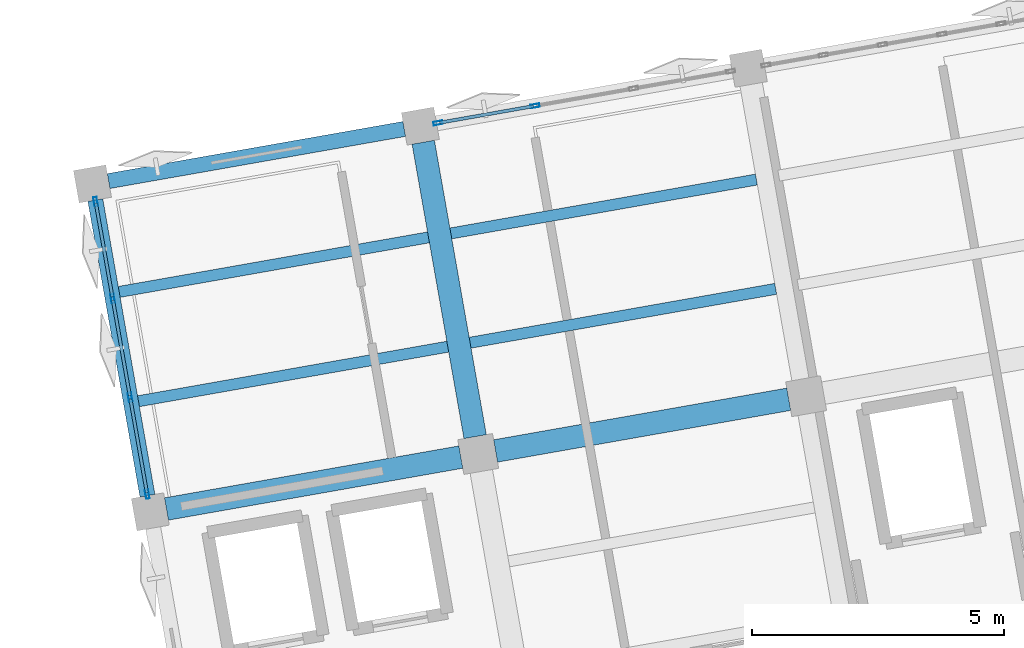
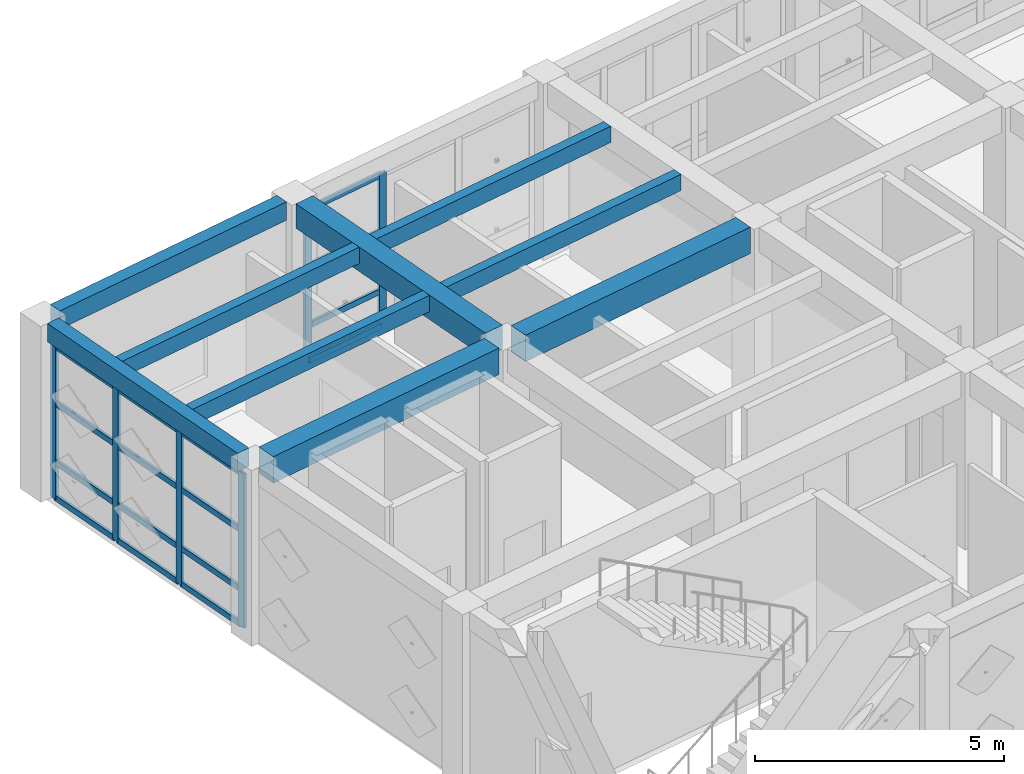
# One storey, part 7 of 39: 22 members, 9 beams, 2 elements without a shape of their own.
"""IFC4 building model written with IfcOpenShell, lengths in metres."""

from ifc_helpers import new_model, si_unit, direction, frame, origin, origin_2d, place, context, subcontext, project, spatial, rectangle, hollow_rectangle, extrude, material, layer, layer_set, material_profile, profile_set, type_object, element, aggregate, save


model = new_model("IFC4")

# Units and contexts
model_context = context("Model", 3, precision=1e-05, world=origin(), true_north=direction((0.0, 1.0)))
body_context = subcontext(model_context, "Body", "Model", "MODEL_VIEW")
ifc_project = project(units=[si_unit("LENGTHUNIT", "METRE"), si_unit("AREAUNIT", "SQUARE_METRE"), si_unit("VOLUMEUNIT", "CUBIC_METRE"), si_unit("PLANEANGLEUNIT", "RADIAN"), si_unit("MASSUNIT", "GRAM", prefix="KILO")], contexts=[model_context])

# Site, building, storey
site_placement = place(None, origin())
site = spatial("IfcSite", under=ifc_project, at=site_placement, CompositionType="ELEMENT")
building_placement = place(site_placement, origin())
building = spatial("IfcBuilding", under=site, at=building_placement, Name="Kharisveld Research Institute", CompositionType="ELEMENT")
storey_placement = place(building_placement, frame((0.0, 0.0, 18.60009765625)))
storey = spatial("IfcBuildingStorey", under=building, at=storey_placement, Name="L04", CompositionType="ELEMENT", Elevation=18.60009765625)

# Beams
ifc_material_1 = material(Name="Concrete C40/50", Category="concrete")
ifc_material_profile_1 = material_profile(ifc_material_1, rectangle(XDim=0.449951171875, YDim=0.60009765625, at=origin_2d()))
ifc_profile_set_1 = profile_set([ifc_material_profile_1], Name="Concrete C40/50")
beam_type_1 = type_object("IfcBeamType", Name="BM_RC_450x600", PredefinedType="BEAM", material=ifc_profile_set_1)
beam_1_placement = place(storey_placement, frame((9.3466796875, 49.500244140625, 4.02001953125), z_axis=(-0.173639592071, 0.984809266846, 0.0), x_axis=(-0.984809266846, -0.173639592071, 0.0)))
element("IfcBeam", 1, at=beam_1_placement, inside=storey, type_object=beam_type_1, Name="BM:V1:L04:V1_2", PredefinedType="BEAM", context=body_context, shape_type="SweptSolid", body=[
    extrude(rectangle(XDim=0.449951171875, YDim=0.60009765625, at=origin_2d()), origin(), (0.0, 0.0, 1.0), 5.925048828125),
])
ifc_material_2 = material(Name="Concrete C40/50", Category="concrete")
ifc_material_profile_2 = material_profile(ifc_material_2, rectangle(XDim=0.449951171875, YDim=0.64990234375, at=origin_2d()))
ifc_profile_set_2 = profile_set([ifc_material_profile_2], Name="Concrete C40/50")
beam_type_2 = type_object("IfcBeamType", Name="BM_RC_450x650", PredefinedType="BEAM", material=ifc_profile_set_2)
beam_2_placement = place(storey_placement, frame((3.22802734375, 48.06591796875, 3.994873046875), z_axis=(0.984809266846, 0.173639592071, 0.0), x_axis=(-0.173639592071, 0.984809266846, 0.0)))
element("IfcBeam", 2, at=beam_2_placement, inside=storey, type_object=beam_type_2, Name="BM:V1:L04:U0_2", PredefinedType="BEAM", context=body_context, shape_type="SweptSolid", body=[
    extrude(rectangle(XDim=0.449951171875, YDim=0.64990234375, at=origin_2d()), origin(), (0.0, 0.0, 1.0), 5.925048828125),
])
beam_3_placement = place(storey_placement, frame((9.752197265625, 49.21630859375, 3.994873046875), z_axis=(0.98481187206, 0.173624815763, 0.0), x_axis=(-0.173624815763, 0.98481187206, 0.0)))
element("IfcBeam", 3, at=beam_3_placement, inside=storey, type_object=beam_type_2, Name="BM:V1:L04:U1_2", PredefinedType="BEAM", context=body_context, shape_type="SweptSolid", body=[
    extrude(rectangle(XDim=0.449951171875, YDim=0.64990234375, at=origin_2d()), origin(), (0.0, 0.0, 1.0), 5.900146484375),
])

# Curtain wall, members
ifc_material_3 = material(Name="Thermally Broken Aluminium Curtain Wall", Category="aluminium")
ifc_layer_1 = layer(ifc_material_3, 0.159912109375)
ifc_layer_set_1 = layer_set([ifc_layer_1], Name="CW_SYS_05")
curtain_wall_type_1 = type_object("IfcCurtainWallType", Name="CW_SYS_05", PredefinedType="NOTDEFINED", material=ifc_layer_set_1)
curtain_wall_1_placement = place(storey_placement, origin())
curtain_wall_1 = element("IfcCurtainWall", 4, at=curtain_wall_1_placement, inside=storey, type_object=curtain_wall_type_1, Name="CW:V1:L04:W2", PredefinedType="NOTDEFINED")
ifc_material_4 = material(Name="Anodised Aluminium AW-6063-T6", Category="aluminium")
ifc_material_profile_3 = material_profile(ifc_material_4, hollow_rectangle(XDim=0.070068359375, YDim=0.179931640625, WallThickness=0.00439453125, at=origin_2d()))
ifc_profile_set_3 = profile_set([ifc_material_profile_3], Name="Anodised Aluminium AW-6063-T6")
member_type_1 = type_object("IfcMemberType", Name="CW_MUL_180", PredefinedType="MULLION", material=ifc_profile_set_3)
member_1_placement = place(storey_placement, frame((2.84619140625, 48.359130859375, 0.0), z_axis=(0.0, 0.0, 1.0), x_axis=(-0.984807737371, -0.173648266375, 0.0)))
member_1 = element("IfcMember", 5, at=member_1_placement, type_object=member_type_1, Name="CW-05 mullion 1", PredefinedType="MULLION", context=body_context, shape_type="SweptSolid", body=[
    extrude(hollow_rectangle(XDim=0.070068359375, YDim=0.179931640625, WallThickness=0.00439453125, at=origin_2d()), origin(), (0.0, 0.0, 1.0), 3.77978515625),
])
member_2_placement = place(storey_placement, frame((2.50732421875, 50.281005859375, 0.0), z_axis=(0.0, 0.0, 1.0), x_axis=(-0.984807737371, -0.173648266375, 0.0)))
member_2 = element("IfcMember", 6, at=member_2_placement, type_object=member_type_1, Name="CW-05 mullion 2", PredefinedType="MULLION", context=body_context, shape_type="SweptSolid", body=[
    extrude(hollow_rectangle(XDim=0.070068359375, YDim=0.179931640625, WallThickness=0.00439453125, at=origin_2d()), origin(), (0.0, 0.0, 1.0), 3.77978515625),
])
member_3_placement = place(storey_placement, frame((2.162353515625, 52.237548828125, 0.0), z_axis=(0.0, 0.0, 1.0), x_axis=(-0.984807737371, -0.173648266375, 0.0)))
member_3 = element("IfcMember", 7, at=member_3_placement, type_object=member_type_1, Name="CW-05 mullion 3", PredefinedType="MULLION", context=body_context, shape_type="SweptSolid", body=[
    extrude(hollow_rectangle(XDim=0.070068359375, YDim=0.179931640625, WallThickness=0.00439453125, at=origin_2d()), origin(), (0.0, 0.0, 1.0), 3.77978515625),
])
member_4_placement = place(storey_placement, frame((1.823486328125, 54.15966796875, 0.0), z_axis=(0.0, 0.0, 1.0), x_axis=(-0.984807737371, -0.173648266375, 0.0)))
member_4 = element("IfcMember", 8, at=member_4_placement, type_object=member_type_1, Name="CW-05 mullion 4", PredefinedType="MULLION", context=body_context, shape_type="SweptSolid", body=[
    extrude(hollow_rectangle(XDim=0.070068359375, YDim=0.179931640625, WallThickness=0.00439453125, at=origin_2d()), origin(), (0.0, 0.0, 1.0), 3.77978515625),
])

ifc_material_5 = material(Name="Thermally Broken Aluminium Curtain Wall", Category="aluminium")
ifc_layer_2 = layer(ifc_material_5, 0.159912109375)
ifc_layer_set_2 = layer_set([ifc_layer_2], Name="CW_SYS_06")
curtain_wall_type_2 = type_object("IfcCurtainWallType", Name="CW_SYS_06", PredefinedType="NOTDEFINED", material=ifc_layer_set_2)
curtain_wall_2_placement = place(storey_placement, origin())
curtain_wall_2 = element("IfcCurtainWall", 9, at=curtain_wall_2_placement, inside=storey, type_object=curtain_wall_type_2, Name="CW:V1:L04:N1", PredefinedType="NOTDEFINED")
member_5_placement = place(storey_placement, frame((8.611083984375, 55.716796875, 0.0), z_axis=(0.0, 0.0, 1.0), x_axis=(-0.173648295062, 0.984807732312, 0.0)))
member_5 = element("IfcMember", 10, at=member_5_placement, type_object=member_type_1, Name="CW-06 mullion 1", PredefinedType="MULLION", context=body_context, shape_type="SweptSolid", body=[
    extrude(hollow_rectangle(XDim=0.070068359375, YDim=0.179931640625, WallThickness=0.00439453125, at=origin_2d()), origin(), (0.0, 0.0, 1.0), 3.77978515625),
])
member_6_placement = place(storey_placement, frame((10.533203125, 56.055908203125, 0.0), z_axis=(0.0, 0.0, 1.0), x_axis=(-0.173648295062, 0.984807732312, 0.0)))
member_6 = element("IfcMember", 11, at=member_6_placement, type_object=member_type_1, Name="CW-06 mullion 2", PredefinedType="MULLION", context=body_context, shape_type="SweptSolid", body=[
    extrude(hollow_rectangle(XDim=0.070068359375, YDim=0.179931640625, WallThickness=0.00439453125, at=origin_2d()), origin(), (0.0, 0.0, 1.0), 3.77978515625),
])

# Member
ifc_material_6 = material(Name="Anodised Aluminium AW-6063-T6", Category="aluminium")
ifc_material_profile_4 = material_profile(ifc_material_6, hollow_rectangle(XDim=0.06494140625, YDim=0.139892578125, WallThickness=0.00390625, at=origin_2d()))
ifc_profile_set_4 = profile_set([ifc_material_profile_4], Name="Anodised Aluminium AW-6063-T6")
member_type_2 = type_object("IfcMemberType", Name="CW_TRN_140", PredefinedType="USERDEFINED", material=ifc_profile_set_4)
member_7_placement = place(storey_placement, frame((2.840087890625, 48.3935546875, 0.032470703125), z_axis=(-0.173607684551, 0.984814892183, 0.0), x_axis=(-0.984814892183, -0.173607684551, 0.0)))
member_7 = element("IfcMember", 12, at=member_7_placement, type_object=member_type_2, Name="CW-05 transom 1.1", ObjectType="TRANSOM", PredefinedType="USERDEFINED", context=body_context, shape_type="SweptSolid", body=[
    extrude(hollow_rectangle(XDim=0.06494140625, YDim=0.139892578125, WallThickness=0.00390625, at=origin_2d()), origin(), (0.0, 0.0, 1.0), 1.881591796875),
])

member_8_placement = place(storey_placement, frame((2.840087890625, 48.3935546875, 0.89990234375), z_axis=(-0.173607684551, 0.984814892183, 0.0), x_axis=(-0.984814892183, -0.173607684551, 0.0)))
member_8 = element("IfcMember", 13, at=member_8_placement, type_object=member_type_2, Name="CW-05 transom 1.2", ObjectType="TRANSOM", PredefinedType="USERDEFINED", context=body_context, shape_type="SweptSolid", body=[
    extrude(hollow_rectangle(XDim=0.06494140625, YDim=0.139892578125, WallThickness=0.00390625, at=origin_2d()), origin(), (0.0, 0.0, 1.0), 1.881591796875),
])

member_9_placement = place(storey_placement, frame((2.840087890625, 48.3935546875, 2.349853515625), z_axis=(-0.173607684551, 0.984814892183, 0.0), x_axis=(-0.984814892183, -0.173607684551, 0.0)))
member_9 = element("IfcMember", 14, at=member_9_placement, type_object=member_type_2, Name="CW-05 transom 1.3", ObjectType="TRANSOM", PredefinedType="USERDEFINED", context=body_context, shape_type="SweptSolid", body=[
    extrude(hollow_rectangle(XDim=0.06494140625, YDim=0.139892578125, WallThickness=0.00390625, at=origin_2d()), origin(), (0.0, 0.0, 1.0), 1.881591796875),
])

member_10_placement = place(storey_placement, frame((2.840087890625, 48.3935546875, 3.747314453125), z_axis=(-0.173607684551, 0.984814892183, 0.0), x_axis=(-0.984814892183, -0.173607684551, 0.0)))
member_10 = element("IfcMember", 15, at=member_10_placement, type_object=member_type_2, Name="CW-05 transom 1.4", ObjectType="TRANSOM", PredefinedType="USERDEFINED", context=body_context, shape_type="SweptSolid", body=[
    extrude(hollow_rectangle(XDim=0.06494140625, YDim=0.139892578125, WallThickness=0.00390625, at=origin_2d()), origin(), (0.0, 0.0, 1.0), 1.881591796875),
])

member_11_placement = place(storey_placement, frame((2.501220703125, 50.315673828125, 0.032470703125), z_axis=(-0.173625459441, 0.984811758578, 0.0), x_axis=(-0.984811758578, -0.173625459441, 0.0)))
member_11 = element("IfcMember", 16, at=member_11_placement, type_object=member_type_2, Name="CW-05 transom 2.1", ObjectType="TRANSOM", PredefinedType="USERDEFINED", context=body_context, shape_type="SweptSolid", body=[
    extrude(hollow_rectangle(XDim=0.06494140625, YDim=0.139892578125, WallThickness=0.00390625, at=origin_2d()), origin(), (0.0, 0.0, 1.0), 1.91650390625),
])

member_12_placement = place(storey_placement, frame((2.501220703125, 50.315673828125, 0.89990234375), z_axis=(-0.173625459441, 0.984811758578, 0.0), x_axis=(-0.984811758578, -0.173625459441, 0.0)))
member_12 = element("IfcMember", 17, at=member_12_placement, type_object=member_type_2, Name="CW-05 transom 2.2", ObjectType="TRANSOM", PredefinedType="USERDEFINED", context=body_context, shape_type="SweptSolid", body=[
    extrude(hollow_rectangle(XDim=0.06494140625, YDim=0.139892578125, WallThickness=0.00390625, at=origin_2d()), origin(), (0.0, 0.0, 1.0), 1.91650390625),
])

member_13_placement = place(storey_placement, frame((2.501220703125, 50.315673828125, 2.349853515625), z_axis=(-0.173625459441, 0.984811758578, 0.0), x_axis=(-0.984811758578, -0.173625459441, 0.0)))
member_13 = element("IfcMember", 18, at=member_13_placement, type_object=member_type_2, Name="CW-05 transom 2.3", ObjectType="TRANSOM", PredefinedType="USERDEFINED", context=body_context, shape_type="SweptSolid", body=[
    extrude(hollow_rectangle(XDim=0.06494140625, YDim=0.139892578125, WallThickness=0.00390625, at=origin_2d()), origin(), (0.0, 0.0, 1.0), 1.91650390625),
])

member_14_placement = place(storey_placement, frame((2.501220703125, 50.315673828125, 3.747314453125), z_axis=(-0.173625459441, 0.984811758578, 0.0), x_axis=(-0.984811758578, -0.173625459441, 0.0)))
member_14 = element("IfcMember", 19, at=member_14_placement, type_object=member_type_2, Name="CW-05 transom 2.4", ObjectType="TRANSOM", PredefinedType="USERDEFINED", context=body_context, shape_type="SweptSolid", body=[
    extrude(hollow_rectangle(XDim=0.06494140625, YDim=0.139892578125, WallThickness=0.00390625, at=origin_2d()), origin(), (0.0, 0.0, 1.0), 1.91650390625),
])

member_15_placement = place(storey_placement, frame((2.15625, 52.27197265625, 0.032470703125), z_axis=(-0.173607684551, 0.984814892183, 0.0), x_axis=(-0.984814892183, -0.173607684551, 0.0)))
member_15 = element("IfcMember", 20, at=member_15_placement, type_object=member_type_2, Name="CW-05 transom 3.1", ObjectType="TRANSOM", PredefinedType="USERDEFINED", context=body_context, shape_type="SweptSolid", body=[
    extrude(hollow_rectangle(XDim=0.06494140625, YDim=0.139892578125, WallThickness=0.00390625, at=origin_2d()), origin(), (0.0, 0.0, 1.0), 1.881591796875),
])

member_16_placement = place(storey_placement, frame((2.15625, 52.27197265625, 0.89990234375), z_axis=(-0.173607684551, 0.984814892183, 0.0), x_axis=(-0.984814892183, -0.173607684551, 0.0)))
member_16 = element("IfcMember", 21, at=member_16_placement, type_object=member_type_2, Name="CW-05 transom 3.2", ObjectType="TRANSOM", PredefinedType="USERDEFINED", context=body_context, shape_type="SweptSolid", body=[
    extrude(hollow_rectangle(XDim=0.06494140625, YDim=0.139892578125, WallThickness=0.00390625, at=origin_2d()), origin(), (0.0, 0.0, 1.0), 1.881591796875),
])

member_17_placement = place(storey_placement, frame((2.15625, 52.27197265625, 2.349853515625), z_axis=(-0.173607684551, 0.984814892183, 0.0), x_axis=(-0.984814892183, -0.173607684551, 0.0)))
member_17 = element("IfcMember", 22, at=member_17_placement, type_object=member_type_2, Name="CW-05 transom 3.3", ObjectType="TRANSOM", PredefinedType="USERDEFINED", context=body_context, shape_type="SweptSolid", body=[
    extrude(hollow_rectangle(XDim=0.06494140625, YDim=0.139892578125, WallThickness=0.00390625, at=origin_2d()), origin(), (0.0, 0.0, 1.0), 1.881591796875),
])

member_18_placement = place(storey_placement, frame((2.15625, 52.27197265625, 3.747314453125), z_axis=(-0.173607684551, 0.984814892183, 0.0), x_axis=(-0.984814892183, -0.173607684551, 0.0)))
member_18 = element("IfcMember", 23, at=member_18_placement, type_object=member_type_2, Name="CW-05 transom 3.4", ObjectType="TRANSOM", PredefinedType="USERDEFINED", context=body_context, shape_type="SweptSolid", body=[
    extrude(hollow_rectangle(XDim=0.06494140625, YDim=0.139892578125, WallThickness=0.00390625, at=origin_2d()), origin(), (0.0, 0.0, 1.0), 1.881591796875),
])

aggregate(curtain_wall_1, [member_1, member_2, member_3, member_4, member_7, member_8, member_9, member_10, member_11, member_12, member_13, member_14, member_15, member_16, member_17, member_18])

member_19_placement = place(storey_placement, frame((8.6455078125, 55.722900390625, 0.032470703125), z_axis=(0.98479270082, 0.173733521265, 0.0), x_axis=(-0.173733521265, 0.98479270082, 0.0)))
member_19 = element("IfcMember", 24, at=member_19_placement, type_object=member_type_2, Name="CW-06 transom 1.1", ObjectType="TRANSOM", PredefinedType="USERDEFINED", context=body_context, shape_type="SweptSolid", body=[
    extrude(hollow_rectangle(XDim=0.06494140625, YDim=0.139892578125, WallThickness=0.00390625, at=origin_2d()), origin(), (0.0, 0.0, 1.0), 1.881591796875),
])

member_20_placement = place(storey_placement, frame((8.6455078125, 55.722900390625, 0.89990234375), z_axis=(0.98479270082, 0.173733521265, 0.0), x_axis=(-0.173733521265, 0.98479270082, 0.0)))
member_20 = element("IfcMember", 25, at=member_20_placement, type_object=member_type_2, Name="CW-06 transom 1.2", ObjectType="TRANSOM", PredefinedType="USERDEFINED", context=body_context, shape_type="SweptSolid", body=[
    extrude(hollow_rectangle(XDim=0.06494140625, YDim=0.139892578125, WallThickness=0.00390625, at=origin_2d()), origin(), (0.0, 0.0, 1.0), 1.881591796875),
])

member_21_placement = place(storey_placement, frame((8.6455078125, 55.722900390625, 2.349853515625), z_axis=(0.98479270082, 0.173733521265, 0.0), x_axis=(-0.173733521265, 0.98479270082, 0.0)))
member_21 = element("IfcMember", 26, at=member_21_placement, type_object=member_type_2, Name="CW-06 transom 1.3", ObjectType="TRANSOM", PredefinedType="USERDEFINED", context=body_context, shape_type="SweptSolid", body=[
    extrude(hollow_rectangle(XDim=0.06494140625, YDim=0.139892578125, WallThickness=0.00390625, at=origin_2d()), origin(), (0.0, 0.0, 1.0), 1.881591796875),
])

member_22_placement = place(storey_placement, frame((8.6455078125, 55.722900390625, 3.747314453125), z_axis=(0.98479270082, 0.173733521265, 0.0), x_axis=(-0.173733521265, 0.98479270082, 0.0)))
member_22 = element("IfcMember", 27, at=member_22_placement, type_object=member_type_2, Name="CW-06 transom 1.4", ObjectType="TRANSOM", PredefinedType="USERDEFINED", context=body_context, shape_type="SweptSolid", body=[
    extrude(hollow_rectangle(XDim=0.06494140625, YDim=0.139892578125, WallThickness=0.00390625, at=origin_2d()), origin(), (0.0, 0.0, 1.0), 1.881591796875),
])

aggregate(curtain_wall_2, [member_5, member_6, member_19, member_20, member_21, member_22])

# Beams
ifc_material_7 = material(Name="Concrete C40/50", Category="concrete")
ifc_material_profile_5 = material_profile(ifc_material_7, rectangle(XDim=0.300048828125, YDim=0.449951171875, at=origin_2d()))
ifc_profile_set_5 = profile_set([ifc_material_profile_5], Name="Concrete C40/50")
beam_type_3 = type_object("IfcBeamType", Name="SP_RC_300x450", PredefinedType="SPANDREL", material=ifc_profile_set_5)
for number, where, z_axis, x_axis, name in (
    (28, (2.081787109375, 54.565673828125, 4.094970703125), (0.984807920462, 0.173647228007, 0.0), (-0.173647228007, 0.984807920462, 0.0), "BM:V1:L04:U0_3"),
    (29, (2.851318359375, 48.32958984375, 4.094970703125), (-0.173647228007, 0.984807920462, 0.0), (-0.984807920462, -0.173647228007, 0.0), "BM:V1:L04:V0_2"),
):
    element("IfcBeam", number, at=place(storey_placement, frame(where, z_axis=z_axis, x_axis=x_axis)), inside=storey, type_object=beam_type_3, Name=name, PredefinedType="SPANDREL", context=body_context, shape_type="SweptSolid", body=[
        extrude(rectangle(XDim=0.300048828125, YDim=0.449951171875, at=origin_2d()), origin(), (0.0, 0.0, 1.0), 5.949951171875),
    ])
ifc_material_8 = material(Name="Concrete C40/50", Category="concrete")
ifc_material_profile_6 = material_profile(ifc_material_8, rectangle(XDim=0.219970703125, YDim=0.39990234375, at=origin_2d()))
ifc_profile_set_6 = profile_set([ifc_material_profile_6], Name="Concrete C40/50")
beam_type_4 = type_object("IfcBeamType", Name="WB_RC_220x400", PredefinedType="JOIST", material=ifc_profile_set_6)
for number, where, z_axis, x_axis, name in (
    (30, (2.673583984375, 50.2021484375, 4.119873046875), (0.984811579018, 0.17362647791, 0.0), (-0.17362647791, 0.984811579018, 0.0), "BM:V1:L04:J_0_2_R1"),
    (31, (2.29150390625, 52.36865234375, 4.119873046875), (0.984804872144, 0.173664515088, 0.0), (-0.173664515088, 0.984804872144, 0.0), "BM:V1:L04:J_0_2_R2"),
):
    element("IfcBeam", number, at=place(storey_placement, frame(where, z_axis=z_axis, x_axis=x_axis)), inside=storey, type_object=beam_type_4, Name=name, PredefinedType="JOIST", context=body_context, shape_type="SweptSolid", body=[
        extrude(rectangle(XDim=0.219970703125, YDim=0.39990234375, at=origin_2d()), origin(), (0.0, 0.0, 1.0), 6.224853515625),
    ])
for number, where, z_axis, x_axis, name in (
    (32, (9.2470703125, 51.361083984375, 4.119873046875), (0.984803134643, 0.173674367706, 0.0), (-0.173674367706, 0.984803134643, 0.0), "BM:V1:L04:J_1_2_R1"),
    (33, (8.864990234375, 53.52783203125, 4.119873046875), (0.984809923515, 0.173635867682, 0.0), (-0.173635867682, 0.984809923515, 0.0), "BM:V1:L04:J_1_2_R2"),
):
    element("IfcBeam", number, at=place(storey_placement, frame(where, z_axis=z_axis, x_axis=x_axis)), inside=storey, type_object=beam_type_4, Name=name, PredefinedType="JOIST", context=body_context, shape_type="SweptSolid", body=[
        extrude(rectangle(XDim=0.219970703125, YDim=0.39990234375, at=origin_2d()), origin(), (0.0, 0.0, 1.0), 6.150146484375),
    ])

save(model, "model.ifc")
